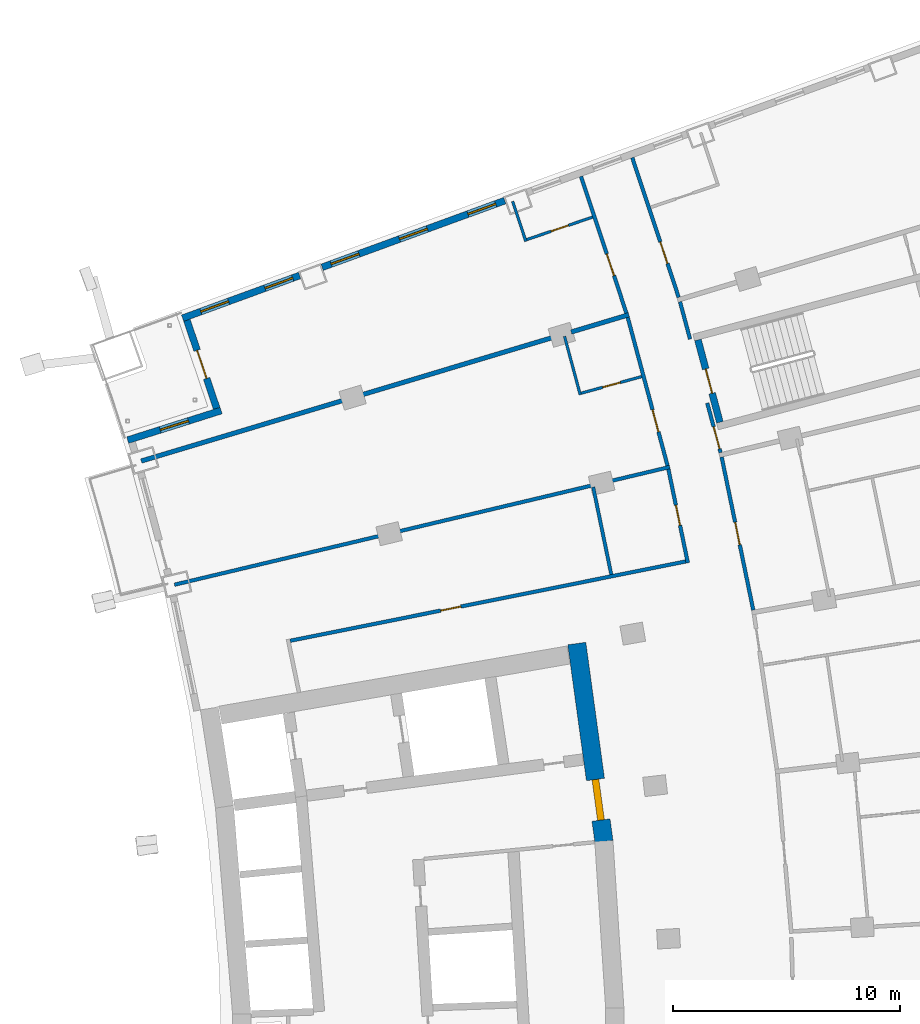
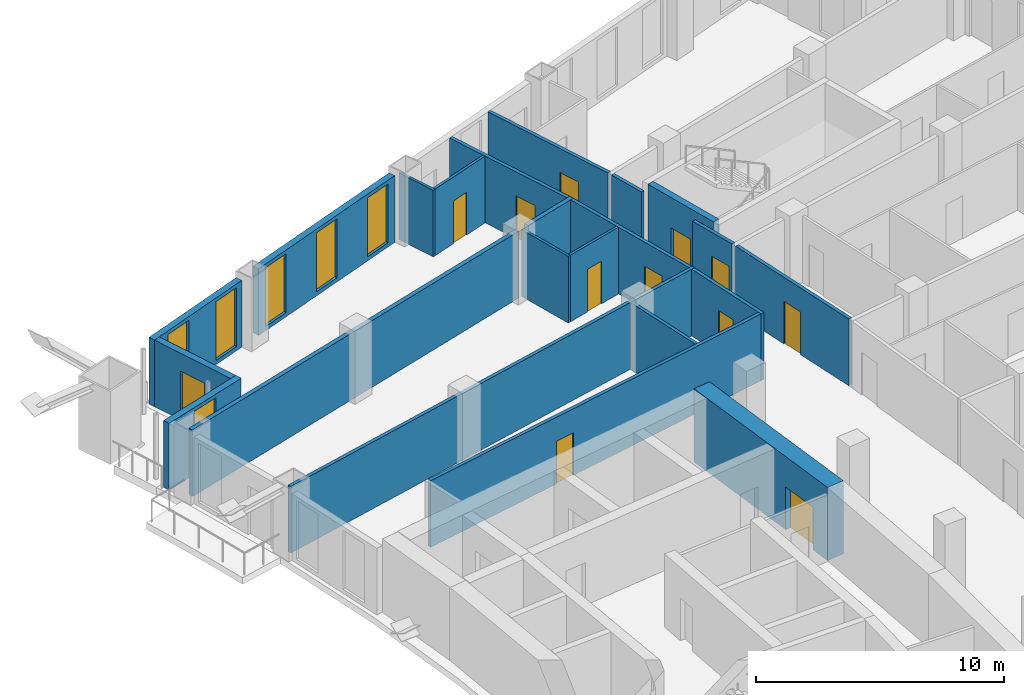
# One storey, part 16 of 23: 22 walls, 12 doors, 6 windows, 18 openings.
"""IFC4 building model written with IfcOpenShell, lengths in metres."""

from ifc_helpers import new_model, si_unit, direction, frame, frame_2d, origin, place, context, subcontext, project, spatial, rectangle, extrude, material, layer, layer_set, type_object, element, fill, save


model = new_model("IFC4")

# Units and contexts
model_context = context("Model", 3, precision=1e-05, world=origin(), true_north=direction((0.0, 1.0)))
body_context = subcontext(model_context, "Body", "Model", "MODEL_VIEW")
ifc_project = project(units=[si_unit("LENGTHUNIT", "METRE"), si_unit("AREAUNIT", "SQUARE_METRE"), si_unit("VOLUMEUNIT", "CUBIC_METRE"), si_unit("PLANEANGLEUNIT", "RADIAN"), si_unit("MASSUNIT", "GRAM", prefix="KILO")], contexts=[model_context])

# Site, building, storey
site_placement = place(None, origin())
site = spatial("IfcSite", under=ifc_project, at=site_placement, CompositionType="ELEMENT")
building_placement = place(site_placement, origin())
building = spatial("IfcBuilding", under=site, at=building_placement, Name="Alderwake Tower", CompositionType="ELEMENT")
storey_placement = place(building_placement, frame((0.0, 0.0, 100.39990234375)))
storey = spatial("IfcBuildingStorey", under=building, at=storey_placement, Name="L24", CompositionType="ELEMENT", Elevation=100.39990234375)

# Wall, opening, door
ifc_material_1 = material(Name="Concrete C70/85", Category="concrete")
ifc_layer_1 = layer(ifc_material_1, 0.800048828125)
ifc_layer_set_1 = layer_set([ifc_layer_1], Name="Core wall outer 800 C70-85")
wall_type_1 = type_object("IfcWallType", Name="Core wall outer 800 C70-85", PredefinedType="SHEAR", material=ifc_layer_set_1)
wall_1_placement = place(storey_placement, frame((31.569580078125, 80.7265625, 0.0), z_axis=(0.0, 0.0, 1.0), x_axis=(0.135838347444, -0.990731014637, 0.0)))
wall_1 = element("IfcWall", 1, at=wall_1_placement, inside=storey, type_object=wall_type_1, Name="Core wall CW.009", PredefinedType="SHEAR", context=body_context, shape_type="SweptSolid", body=[
    extrude(rectangle(XDim=8.788818359375, YDim=0.800048828125, at=frame_2d((4.39453125, 0.0))), origin(), (0.0, 0.0, 1.0), 3.60009765625),
])
opening_1_placement = place(wall_1_placement, frame((6.032958984375, 0.0, 0.0)))
opening_1 = element("IfcOpeningElement", 2, at=opening_1_placement, cuts=wall_1, Name="Opening C001", PredefinedType="OPENING", context=body_context, shape_type="SweptSolid", body=[
    extrude(rectangle(XDim=1.800048828125, YDim=2.10009765625, at=frame_2d((0.89990234375, 1.050048828125))), frame((0.0, 0.409912109375, 0.0), z_axis=(0.0, -1.0, 0.0), x_axis=(1.0, 0.0, 0.0)), (0.0, 0.0, 1.0), 0.820068359375),
])
ifc_material_2 = material(Name="Steel-framed fire door leaves", Category="steel")
door_type_1 = type_object("IfcDoorType", Name="Core double door 1800 fire-rated", OperationType="DOUBLE_DOOR_SINGLE_SWING", PredefinedType="DOOR", material=ifc_material_2)
door_1_placement = place(opening_1_placement, origin())
door_1 = element("IfcDoor", 3, at=door_1_placement, inside=storey, type_object=door_type_1, Name="Lobby double door", OperationType="DOUBLE_DOOR_SINGLE_SWING", OverallHeight=2.10009765625, OverallWidth=1.800048828125, PredefinedType="DOOR", context=body_context, shape_type="SweptSolid", body=[
    extrude(rectangle(XDim=1.800048828125, YDim=2.10009765625, at=frame_2d((0.89990234375, 1.050048828125))), frame((0.0, 0.14990234375, 0.0), z_axis=(0.0, -1.0, 0.0), x_axis=(1.0, 0.0, 0.0)), (0.0, 0.0, 1.0), 0.300048828125),
])
fill(opening_1, door_1)

ifc_material_3 = material(Name="Concrete C70/85", Category="concrete")
ifc_layer_2 = layer(ifc_material_3, 0.300048828125)
ifc_layer_set_2 = layer_set([ifc_layer_2], Name="Core wall stair enclosure 300 C70-85")
wall_type_2 = type_object("IfcWallType", Name="Core wall stair enclosure 300 C70-85", PredefinedType="SHEAR", material=ifc_layer_set_2)
wall_2_placement = place(storey_placement, frame((37.8603515625, 90.452392578125, 0.0), z_axis=(0.0, 0.0, 1.0), x_axis=(-0.257411420208, 0.966301899381, 0.0)))
wall_2 = element("IfcWall", 4, at=wall_2_placement, inside=storey, type_object=wall_type_2, Name="Core wall CW.083", PredefinedType="SHEAR", context=body_context, shape_type="SweptSolid", body=[
    extrude(rectangle(XDim=3.750244140625, YDim=0.300048828125, at=frame_2d((1.875, 0.0))), origin(), (0.0, 0.0, 1.0), 3.60009765625),
])
opening_2_placement = place(wall_2_placement, frame((1.324951171875, 0.0, 0.0)))
opening_2 = element("IfcOpeningElement", 5, at=opening_2_placement, cuts=wall_2, Name="Opening C062", PredefinedType="OPENING", context=body_context, shape_type="SweptSolid", body=[
    extrude(rectangle(XDim=1.10009765625, YDim=2.10009765625, at=frame_2d((0.550048828125, 1.050048828125))), frame((0.0, 0.159912109375, 0.0), z_axis=(0.0, -1.0, 0.0), x_axis=(1.0, 0.0, 0.0)), (0.0, 0.0, 1.0), 0.320068359375),
])
ifc_material_4 = material(Name="Steel-framed fire door leaf", Category="steel")
door_type_2 = type_object("IfcDoorType", Name="Core stair door 1100 fire-rated", OperationType="SINGLE_SWING_LEFT", PredefinedType="DOOR", material=ifc_material_4)
door_2_placement = place(opening_2_placement, origin())
door_2 = element("IfcDoor", 6, at=door_2_placement, inside=storey, type_object=door_type_2, Name="Stair door", OperationType="SINGLE_SWING_RIGHT", OverallHeight=2.10009765625, OverallWidth=1.10009765625, PredefinedType="DOOR", context=body_context, shape_type="SweptSolid", body=[
    extrude(rectangle(XDim=1.10009765625, YDim=2.10009765625, at=frame_2d((0.550048828125, 1.050048828125))), frame((0.0, 0.02490234375, 0.0), z_axis=(0.0, -1.0, 0.0), x_axis=(1.0, 0.0, 0.0)), (0.0, 0.0, 1.0), 0.050048828125),
])
fill(opening_2, door_2)

# Wall
ifc_material_5 = material(Name="Gypsum board on metal studs, rated")
ifc_layer_3 = layer(ifc_material_5, 0.159912109375)
ifc_layer_set_3 = layer_set([ifc_layer_3], Name="Corridor wall 160")
wall_type_3 = type_object("IfcWallType", Name="Corridor wall 160", PredefinedType="PARTITIONING", material=ifc_layer_set_3)
wall_3_placement = place(storey_placement, frame((13.884033203125, 83.31298828125, 0.0), z_axis=(0.0, 0.0, 1.0), x_axis=(0.972893462073, 0.231253781493, 0.0)))
element("IfcWall", 7, at=wall_3_placement, inside=storey, type_object=wall_type_3, Name="WL/L24/W19", PredefinedType="PARTITIONING", context=body_context, shape_type="SweptSolid", body=[
    extrude(rectangle(XDim=22.38037109375, YDim=0.159912109375, at=frame_2d((11.190185546875, 0.0))), origin(), (0.0, 0.0, 1.0), 3.280029296875),
])

# Wall, opening, door
wall_4_placement = place(storey_placement, frame((33.75146484375, 95.2548828125, 0.0), z_axis=(0.0, 0.0, 1.0), x_axis=(-0.315406156735, 0.948956772616, 0.0)))
wall_4 = element("IfcWall", 8, at=wall_4_placement, inside=storey, type_object=wall_type_3, Name="WL/L24/W23", PredefinedType="PARTITIONING", context=body_context, shape_type="SweptSolid", body=[
    extrude(rectangle(XDim=6.330078125, YDim=0.159912109375, at=frame_2d((3.1650390625, 0.0))), origin(), (0.0, 0.0, 1.0), 3.280029296875),
])
opening_3_placement = place(wall_4_placement, frame((1.737060546875, 0.0, 0.0)))
opening_3 = element("IfcOpeningElement", 9, at=opening_3_placement, cuts=wall_4, Name="Opening R06-U15.1", PredefinedType="OPENING", context=body_context, shape_type="SweptSolid", body=[
    extrude(rectangle(XDim=1.0, YDim=2.10009765625, at=frame_2d((0.5, 1.050048828125))), frame((0.0, 0.08984375, 0.0), z_axis=(0.0, -1.0, 0.0), x_axis=(1.0, 0.0, 0.0)), (0.0, 0.0, 1.0), 0.179931640625),
])
ifc_material_6 = material(Name="Solid timber leaf in steel frame", Category="steel")
door_type_3 = type_object("IfcDoorType", Name="Flat entrance door 1000 fire-rated", OperationType="SINGLE_SWING_LEFT", PredefinedType="DOOR", material=ifc_material_6)
door_3_placement = place(opening_3_placement, origin())
door_3 = element("IfcDoor", 10, at=door_3_placement, inside=storey, type_object=door_type_3, Name="DR/L24/U15.1", OperationType="SINGLE_SWING_LEFT", OverallHeight=2.10009765625, OverallWidth=1.0, PredefinedType="DOOR", context=body_context, shape_type="SweptSolid", body=[
    extrude(rectangle(XDim=1.0, YDim=2.10009765625, at=frame_2d((0.5, 1.050048828125))), frame((0.0, 0.02490234375, 0.0), z_axis=(0.0, -1.0, 0.0), x_axis=(1.0, 0.0, 0.0)), (0.0, 0.0, 1.0), 0.050048828125),
])
fill(opening_3, door_3)

wall_5_placement = place(storey_placement, frame((35.55908203125, 88.54736328125, 0.0), z_axis=(0.0, 0.0, 1.0), x_axis=(-0.259373900693, 0.965776982351, 0.0)))
wall_5 = element("IfcWall", 11, at=wall_5_placement, inside=storey, type_object=wall_type_3, Name="WL/L24/W26", PredefinedType="PARTITIONING", context=body_context, shape_type="SweptSolid", body=[
    extrude(rectangle(XDim=6.7470703125, YDim=0.159912109375, at=frame_2d((3.37353515625, 0.0))), origin(), (0.0, 0.0, 1.0), 3.280029296875),
])
opening_4_placement = place(wall_5_placement, frame((1.5380859375, 0.0, 0.0)))
opening_4 = element("IfcOpeningElement", 12, at=opening_4_placement, cuts=wall_5, Name="Opening R06-U14.1", PredefinedType="OPENING", context=body_context, shape_type="SweptSolid", body=[
    extrude(rectangle(XDim=1.0, YDim=2.10009765625, at=frame_2d((0.5, 1.050048828125))), frame((0.0, 0.08984375, 0.0), z_axis=(0.0, -1.0, 0.0), x_axis=(1.0, 0.0, 0.0)), (0.0, 0.0, 1.0), 0.179931640625),
])
door_4_placement = place(opening_4_placement, origin())
door_4 = element("IfcDoor", 13, at=door_4_placement, inside=storey, type_object=door_type_3, Name="DR/L24/U14.1", OperationType="SINGLE_SWING_LEFT", OverallHeight=2.10009765625, OverallWidth=1.0, PredefinedType="DOOR", context=body_context, shape_type="SweptSolid", body=[
    extrude(rectangle(XDim=1.0, YDim=2.10009765625, at=frame_2d((0.5, 1.050048828125))), frame((0.0, 0.02490234375, 0.0), z_axis=(0.0, -1.0, 0.0), x_axis=(1.0, 0.0, 0.0)), (0.0, 0.0, 1.0), 0.050048828125),
])
fill(opening_4, door_4)

wall_6_placement = place(storey_placement, frame((36.451416015625, 84.272705078125, 0.0), z_axis=(0.0, 0.0, 1.0), x_axis=(-0.20329833965, 0.979116839348, 0.0)))
wall_6 = element("IfcWall", 14, at=wall_6_placement, inside=storey, type_object=wall_type_3, Name="WL/L24/W28", PredefinedType="PARTITIONING", context=body_context, shape_type="SweptSolid", body=[
    extrude(rectangle(XDim=4.206787109375, YDim=0.159912109375, at=frame_2d((2.103515625, 0.0))), origin(), (0.0, 0.0, 1.0), 3.280029296875),
])
opening_5_placement = place(wall_6_placement, frame((1.69287109375, 0.0, 0.0)))
opening_5 = element("IfcOpeningElement", 15, at=opening_5_placement, cuts=wall_6, Name="Opening R06-SBN2", PredefinedType="OPENING", context=body_context, shape_type="SweptSolid", body=[
    extrude(rectangle(XDim=0.89990234375, YDim=2.10009765625, at=frame_2d((0.449951171875, 1.050048828125))), frame((0.0, 0.08984375, 0.0), z_axis=(0.0, -1.0, 0.0), x_axis=(1.0, 0.0, 0.0)), (0.0, 0.0, 1.0), 0.179931640625),
])
ifc_material_7 = material(Name="Painted timber leaf", Category="wood")
door_type_4 = type_object("IfcDoorType", Name="Room door 900", OperationType="SINGLE_SWING_LEFT", PredefinedType="DOOR", material=ifc_material_7)
door_5_placement = place(opening_5_placement, origin())
door_5 = element("IfcDoor", 16, at=door_5_placement, inside=storey, type_object=door_type_4, Name="DR/L24/SBN2", OperationType="SINGLE_SWING_LEFT", OverallHeight=2.10009765625, OverallWidth=0.89990234375, PredefinedType="DOOR", context=body_context, shape_type="SweptSolid", body=[
    extrude(rectangle(XDim=0.89990234375, YDim=2.10009765625, at=frame_2d((0.449951171875, 1.050048828125))), frame((0.0, 0.02490234375, 0.0), z_axis=(0.0, -1.0, 0.0), x_axis=(1.0, 0.0, 0.0)), (0.0, 0.0, 1.0), 0.050048828125),
])
fill(opening_5, door_5)

wall_7_placement = place(storey_placement, frame((34.010986328125, 102.083984375, 0.0), z_axis=(0.0, 0.0, 1.0), x_axis=(0.315140606423, -0.949044992708, 0.0)))
wall_7 = element("IfcWall", 17, at=wall_7_placement, inside=storey, type_object=wall_type_3, Name="WL/L24/W30", PredefinedType="PARTITIONING", context=body_context, shape_type="SweptSolid", body=[
    extrude(rectangle(XDim=6.46875, YDim=0.159912109375, at=frame_2d((3.234375, 0.0))), origin(), (0.0, 0.0, 1.0), 3.280029296875),
])
opening_6_placement = place(wall_7_placement, frame((3.897705078125, 0.0, 0.0)))
opening_6 = element("IfcOpeningElement", 18, at=opening_6_placement, cuts=wall_7, Name="Opening R06-U04.1", PredefinedType="OPENING", context=body_context, shape_type="SweptSolid", body=[
    extrude(rectangle(XDim=1.0, YDim=2.10009765625, at=frame_2d((0.5, 1.050048828125))), frame((0.0, 0.08984375, 0.0), z_axis=(0.0, -1.0, 0.0), x_axis=(1.0, 0.0, 0.0)), (0.0, 0.0, 1.0), 0.179931640625),
])
door_6_placement = place(opening_6_placement, origin())
door_6 = element("IfcDoor", 19, at=door_6_placement, inside=storey, type_object=door_type_3, Name="DR/L24/U04.1", OperationType="SINGLE_SWING_LEFT", OverallHeight=2.10009765625, OverallWidth=1.0, PredefinedType="DOOR", context=body_context, shape_type="SweptSolid", body=[
    extrude(rectangle(XDim=1.0, YDim=2.10009765625, at=frame_2d((0.5, 1.050048828125))), frame((0.0, 0.02490234375, 0.0), z_axis=(0.0, -1.0, 0.0), x_axis=(1.0, 0.0, 0.0)), (0.0, 0.0, 1.0), 0.050048828125),
])
fill(opening_6, door_6)

wall_8_placement = place(storey_placement, frame((18.969482421875, 80.84765625, 0.0), z_axis=(0.0, 0.0, 1.0), x_axis=(0.980470914622, 0.196664144112, 0.0)))
wall_8 = element("IfcWall", 20, at=wall_8_placement, inside=storey, type_object=wall_type_3, Name="WL/L24/W32", PredefinedType="PARTITIONING", context=body_context, shape_type="SweptSolid", body=[
    extrude(rectangle(XDim=17.733642578125, YDim=0.159912109375, at=frame_2d((8.86669921875, 0.0))), origin(), (0.0, 0.0, 1.0), 3.280029296875),
])
opening_7_placement = place(wall_8_placement, frame((6.756591796875, 0.0, 0.0)))
opening_7 = element("IfcOpeningElement", 21, at=opening_7_placement, cuts=wall_8, Name="Opening R06-SBN1", PredefinedType="OPENING", context=body_context, shape_type="SweptSolid", body=[
    extrude(rectangle(XDim=0.89990234375, YDim=2.10009765625, at=frame_2d((0.449951171875, 1.050048828125))), frame((0.0, 0.08984375, 0.0), z_axis=(0.0, -1.0, 0.0), x_axis=(1.0, 0.0, 0.0)), (0.0, 0.0, 1.0), 0.179931640625),
])
door_7_placement = place(opening_7_placement, origin())
door_7 = element("IfcDoor", 22, at=door_7_placement, inside=storey, type_object=door_type_4, Name="DR/L24/SBN1", OperationType="SINGLE_SWING_LEFT", OverallHeight=2.10009765625, OverallWidth=0.89990234375, PredefinedType="DOOR", context=body_context, shape_type="SweptSolid", body=[
    extrude(rectangle(XDim=0.89990234375, YDim=2.10009765625, at=frame_2d((0.449951171875, 1.050048828125))), frame((0.0, 0.02490234375, 0.0), z_axis=(0.0, -1.0, 0.0), x_axis=(1.0, 0.0, 0.0)), (0.0, 0.0, 1.0), 0.050048828125),
])
fill(opening_7, door_7)

# Wall
wall_9_placement = place(storey_placement, frame((36.549072265625, 94.110107421875, 0.0), z_axis=(0.0, 0.0, 1.0), x_axis=(-0.259813977097, 0.965658685719, 0.0)))
element("IfcWall", 23, at=wall_9_placement, inside=storey, type_object=wall_type_3, Name="WL/L24/W33", PredefinedType="PARTITIONING", context=body_context, shape_type="SweptSolid", body=[
    extrude(rectangle(XDim=1.70166015625, YDim=0.159912109375, at=frame_2d((0.850830078125, 0.0))), origin(), (0.0, 0.0, 1.0), 3.280029296875),
])

# Wall, opening, door
wall_10_placement = place(storey_placement, frame((37.304931640625, 91.299072265625, 0.0), z_axis=(0.0, 0.0, 1.0), x_axis=(0.259946294884, -0.965623075416, 0.0)))
wall_10 = element("IfcWall", 24, at=wall_10_placement, inside=storey, type_object=wall_type_3, Name="WL/L24/W36", PredefinedType="PARTITIONING", context=body_context, shape_type="SweptSolid", body=[
    extrude(rectangle(XDim=2.255126953125, YDim=0.159912109375, at=frame_2d((1.12744140625, 0.0))), origin(), (0.0, 0.0, 1.0), 3.280029296875),
])
opening_8_placement = place(wall_10_placement, frame((1.083984375, 0.0, 0.0)))
opening_8 = element("IfcOpeningElement", 25, at=opening_8_placement, cuts=wall_10, Name="Opening R06-U02.1", PredefinedType="OPENING", context=body_context, shape_type="SweptSolid", body=[
    extrude(rectangle(XDim=1.0, YDim=2.10009765625, at=frame_2d((0.5, 1.050048828125))), frame((0.0, 0.08984375, 0.0), z_axis=(0.0, -1.0, 0.0), x_axis=(1.0, 0.0, 0.0)), (0.0, 0.0, 1.0), 0.179931640625),
])
door_8_placement = place(opening_8_placement, origin())
door_8 = element("IfcDoor", 26, at=door_8_placement, inside=storey, type_object=door_type_3, Name="DR/L24/U02.1", OperationType="SINGLE_SWING_LEFT", OverallHeight=2.10009765625, OverallWidth=1.0, PredefinedType="DOOR", context=body_context, shape_type="SweptSolid", body=[
    extrude(rectangle(XDim=1.0, YDim=2.10009765625, at=frame_2d((0.5, 1.050048828125))), frame((0.0, 0.02490234375, 0.0), z_axis=(0.0, -1.0, 0.0), x_axis=(1.0, 0.0, 0.0)), (0.0, 0.0, 1.0), 0.050048828125),
])
fill(opening_8, door_8)

wall_11_placement = place(storey_placement, frame((37.937255859375, 88.927001953125, 0.0), z_axis=(0.0, 0.0, 1.0), x_axis=(0.20241288737, -0.979300272147, 0.0)))
wall_11 = element("IfcWall", 27, at=wall_11_placement, inside=storey, type_object=wall_type_3, Name="WL/L24/W38", PredefinedType="PARTITIONING", context=body_context, shape_type="SweptSolid", body=[
    extrude(rectangle(XDim=6.870361328125, YDim=0.159912109375, at=frame_2d((3.43505859375, 0.0))), origin(), (0.0, 0.0, 1.0), 3.280029296875),
])
opening_9_placement = place(wall_11_placement, frame((2.93505859375, 0.0, 0.0)))
opening_9 = element("IfcOpeningElement", 28, at=opening_9_placement, cuts=wall_11, Name="Opening R06-U11.2", PredefinedType="OPENING", context=body_context, shape_type="SweptSolid", body=[
    extrude(rectangle(XDim=1.0, YDim=2.10009765625, at=frame_2d((0.5, 1.050048828125))), frame((0.0, 0.08984375, 0.0), z_axis=(0.0, -1.0, 0.0), x_axis=(1.0, 0.0, 0.0)), (0.0, 0.0, 1.0), 0.179931640625),
])
door_9_placement = place(opening_9_placement, origin())
door_9 = element("IfcDoor", 29, at=door_9_placement, inside=storey, type_object=door_type_3, Name="DR/L24/U11.2", OperationType="SINGLE_SWING_LEFT", OverallHeight=2.10009765625, OverallWidth=1.0, PredefinedType="DOOR", context=body_context, shape_type="SweptSolid", body=[
    extrude(rectangle(XDim=1.0, YDim=2.10009765625, at=frame_2d((0.5, 1.050048828125))), frame((0.0, 0.02490234375, 0.0), z_axis=(0.0, -1.0, 0.0), x_axis=(1.0, 0.0, 0.0)), (0.0, 0.0, 1.0), 0.050048828125),
])
fill(opening_9, door_9)

# Wall, openings, windows
ifc_material_8 = material(Name="Bronze metal cladding on lightweight framing")
ifc_layer_4 = layer(ifc_material_8, 0.300048828125)
ifc_layer_set_4 = layer_set([ifc_layer_4], Name="External wall EW2 bronze metal cladding")
wall_type_4 = type_object("IfcWallType", Name="External wall EW2 bronze metal cladding", PredefinedType="SOLIDWALL", material=ifc_layer_set_4)
wall_12_placement = place(storey_placement, frame((28.402587890625, 100.197509765625, 0.0), z_axis=(0.0, 0.0, 1.0), x_axis=(-0.939364770023, -0.342919566137, 0.0)))
wall_12 = element("IfcWall", 30, at=wall_12_placement, inside=storey, type_object=wall_type_4, Name="External wall 28", PredefinedType="SOLIDWALL", context=body_context, shape_type="SweptSolid", body=[
    extrude(rectangle(XDim=8.54541015625, YDim=0.300048828125, at=frame_2d((4.272705078125, 0.0))), origin(), (0.0, 0.0, 1.0), 3.280029296875),
])
opening_10_placement = place(wall_12_placement, frame((0.4228515625, 0.0, 0.199951171875)))
opening_10 = element("IfcOpeningElement", 31, at=opening_10_placement, cuts=wall_12, Name="Opening W1", PredefinedType="OPENING", context=body_context, shape_type="SweptSolid", body=[
    extrude(rectangle(XDim=1.300048828125, YDim=2.89990234375, at=frame_2d((0.64990234375, 1.449951171875))), frame((0.0, 0.159912109375, 0.0), z_axis=(0.0, -1.0, 0.0), x_axis=(1.0, 0.0, 0.0)), (0.0, 0.0, 1.0), 0.320068359375),
])
opening_11_placement = place(wall_12_placement, frame((3.622802734375, 0.0, 0.199951171875)))
opening_11 = element("IfcOpeningElement", 32, at=opening_11_placement, cuts=wall_12, Name="Opening W1", PredefinedType="OPENING", context=body_context, shape_type="SweptSolid", body=[
    extrude(rectangle(XDim=1.300048828125, YDim=2.89990234375, at=frame_2d((0.64990234375, 1.449951171875))), frame((0.0, 0.159912109375, 0.0), z_axis=(0.0, -1.0, 0.0), x_axis=(1.0, 0.0, 0.0)), (0.0, 0.0, 1.0), 0.320068359375),
])
opening_12_placement = place(wall_12_placement, frame((6.822998046875, 0.0, 0.199951171875)))
opening_12 = element("IfcOpeningElement", 33, at=opening_12_placement, cuts=wall_12, Name="Opening W1", PredefinedType="OPENING", context=body_context, shape_type="SweptSolid", body=[
    extrude(rectangle(XDim=1.300048828125, YDim=2.89990234375, at=frame_2d((0.64990234375, 1.449951171875))), frame((0.0, 0.159912109375, 0.0), z_axis=(0.0, -1.0, 0.0), x_axis=(1.0, 0.0, 0.0)), (0.0, 0.0, 1.0), 0.320068359375),
])
ifc_material_9 = material(Name="Bronze tinted glass in aluminium frame", Category="aluminium")
window_type = type_object("IfcWindowType", Name="Window W1 tall fixed and vent", PartitioningType="DOUBLE_PANEL_VERTICAL", PredefinedType="WINDOW", material=ifc_material_9)
window_1_placement = place(opening_10_placement, origin())
window_1 = element("IfcWindow", 34, at=window_1_placement, inside=storey, type_object=window_type, Name="Window W1 tall fixed and vent", OverallHeight=2.89990234375, OverallWidth=1.300048828125, PartitioningType="DOUBLE_PANEL_VERTICAL", PredefinedType="WINDOW", context=body_context, shape_type="SweptSolid", body=[
    extrude(rectangle(XDim=1.300048828125, YDim=2.89990234375, at=frame_2d((0.64990234375, 1.449951171875))), frame((0.0, 0.030029296875, 0.0), z_axis=(0.0, -1.0, 0.0), x_axis=(1.0, 0.0, 0.0)), (0.0, 0.0, 1.0), 0.06005859375),
])
fill(opening_10, window_1)
window_2_placement = place(opening_11_placement, origin())
window_2 = element("IfcWindow", 35, at=window_2_placement, inside=storey, type_object=window_type, Name="Window W1 tall fixed and vent", OverallHeight=2.89990234375, OverallWidth=1.300048828125, PartitioningType="DOUBLE_PANEL_VERTICAL", PredefinedType="WINDOW", context=body_context, shape_type="SweptSolid", body=[
    extrude(rectangle(XDim=1.300048828125, YDim=2.89990234375, at=frame_2d((0.64990234375, 1.449951171875))), frame((0.0, 0.030029296875, 0.0), z_axis=(0.0, -1.0, 0.0), x_axis=(1.0, 0.0, 0.0)), (0.0, 0.0, 1.0), 0.06005859375),
])
fill(opening_11, window_2)
window_3_placement = place(opening_12_placement, origin())
window_3 = element("IfcWindow", 36, at=window_3_placement, inside=storey, type_object=window_type, Name="Window W1 tall fixed and vent", OverallHeight=2.89990234375, OverallWidth=1.300048828125, PartitioningType="DOUBLE_PANEL_VERTICAL", PredefinedType="WINDOW", context=body_context, shape_type="SweptSolid", body=[
    extrude(rectangle(XDim=1.300048828125, YDim=2.89990234375, at=frame_2d((0.64990234375, 1.449951171875))), frame((0.0, 0.030029296875, 0.0), z_axis=(0.0, -1.0, 0.0), x_axis=(1.0, 0.0, 0.0)), (0.0, 0.0, 1.0), 0.06005859375),
])
fill(opening_12, window_3)

wall_13_placement = place(storey_placement, frame((19.38427734375, 96.905517578125, 0.0), z_axis=(0.0, 0.0, 1.0), x_axis=(-0.939366897407, -0.342913738506, 0.0)))
wall_13 = element("IfcWall", 37, at=wall_13_placement, inside=storey, type_object=wall_type_4, Name="External wall 29", PredefinedType="SOLIDWALL", context=body_context, shape_type="SweptSolid", body=[
    extrude(rectangle(XDim=5.474365234375, YDim=0.300048828125, at=frame_2d((2.7373046875, 0.0))), origin(), (0.0, 0.0, 1.0), 3.280029296875),
])
opening_13_placement = place(wall_13_placement, frame((0.322998046875, 0.0, 0.199951171875)))
opening_13 = element("IfcOpeningElement", 38, at=opening_13_placement, cuts=wall_13, Name="Opening W1", PredefinedType="OPENING", context=body_context, shape_type="SweptSolid", body=[
    extrude(rectangle(XDim=1.300048828125, YDim=2.89990234375, at=frame_2d((0.64990234375, 1.449951171875))), frame((0.0, 0.159912109375, 0.0), z_axis=(0.0, -1.0, 0.0), x_axis=(1.0, 0.0, 0.0)), (0.0, 0.0, 1.0), 0.320068359375),
])
opening_14_placement = place(wall_13_placement, frame((3.32373046875, 0.0, 0.199951171875)))
opening_14 = element("IfcOpeningElement", 39, at=opening_14_placement, cuts=wall_13, Name="Opening W1", PredefinedType="OPENING", context=body_context, shape_type="SweptSolid", body=[
    extrude(rectangle(XDim=1.300048828125, YDim=2.89990234375, at=frame_2d((0.64990234375, 1.449951171875))), frame((0.0, 0.159912109375, 0.0), z_axis=(0.0, -1.0, 0.0), x_axis=(1.0, 0.0, 0.0)), (0.0, 0.0, 1.0), 0.320068359375),
])
window_4_placement = place(opening_13_placement, origin())
window_4 = element("IfcWindow", 40, at=window_4_placement, inside=storey, type_object=window_type, Name="Window W1 tall fixed and vent", OverallHeight=2.89990234375, OverallWidth=1.300048828125, PartitioningType="DOUBLE_PANEL_VERTICAL", PredefinedType="WINDOW", context=body_context, shape_type="SweptSolid", body=[
    extrude(rectangle(XDim=1.300048828125, YDim=2.89990234375, at=frame_2d((0.64990234375, 1.449951171875))), frame((0.0, 0.030029296875, 0.0), z_axis=(0.0, -1.0, 0.0), x_axis=(1.0, 0.0, 0.0)), (0.0, 0.0, 1.0), 0.06005859375),
])
fill(opening_13, window_4)
window_5_placement = place(opening_14_placement, origin())
window_5 = element("IfcWindow", 41, at=window_5_placement, inside=storey, type_object=window_type, Name="Window W1 tall fixed and vent", OverallHeight=2.89990234375, OverallWidth=1.300048828125, PartitioningType="DOUBLE_PANEL_VERTICAL", PredefinedType="WINDOW", context=body_context, shape_type="SweptSolid", body=[
    extrude(rectangle(XDim=1.300048828125, YDim=2.89990234375, at=frame_2d((0.64990234375, 1.449951171875))), frame((0.0, 0.030029296875, 0.0), z_axis=(0.0, -1.0, 0.0), x_axis=(1.0, 0.0, 0.0)), (0.0, 0.0, 1.0), 0.06005859375),
])
fill(opening_14, window_5)

# Wall, opening, door
wall_14_placement = place(storey_placement, frame((14.430908203125, 94.937744140625, 0.0), z_axis=(0.0, 0.0, 1.0), x_axis=(0.320379458656, -0.947289291859, 0.0)))
wall_14 = element("IfcWall", 42, at=wall_14_placement, inside=storey, type_object=wall_type_4, Name="External wall 30", PredefinedType="SOLIDWALL", context=body_context, shape_type="SweptSolid", body=[
    extrude(rectangle(XDim=4.08984375, YDim=0.300048828125, at=frame_2d((2.044921875, 0.0))), origin(), (0.0, 0.0, 1.0), 3.280029296875),
])
opening_15_placement = place(wall_14_placement, frame((1.39501953125, 0.0, 0.0)))
opening_15 = element("IfcOpeningElement", 43, at=opening_15_placement, cuts=wall_14, Name="Opening D13", PredefinedType="OPENING", context=body_context, shape_type="SweptSolid", body=[
    extrude(rectangle(XDim=1.300048828125, YDim=2.39990234375, at=frame_2d((0.64990234375, 1.199951171875))), frame((0.0, 0.159912109375, 0.0), z_axis=(0.0, -1.0, 0.0), x_axis=(1.0, 0.0, 0.0)), (0.0, 0.0, 1.0), 0.320068359375),
])
ifc_material_10 = material(Name="Bronze tinted glass in aluminium frame", Category="aluminium")
door_type_5 = type_object("IfcDoorType", Name="Balcony door BD sliding", OperationType="SLIDING_TO_LEFT", PredefinedType="DOOR", material=ifc_material_10)
door_10_placement = place(opening_15_placement, origin())
door_10 = element("IfcDoor", 44, at=door_10_placement, inside=storey, type_object=door_type_5, Name="Door D13", OperationType="SLIDING_TO_LEFT", OverallHeight=2.39990234375, OverallWidth=1.300048828125, PredefinedType="DOOR", context=body_context, shape_type="SweptSolid", body=[
    extrude(rectangle(XDim=1.300048828125, YDim=2.39990234375, at=frame_2d((0.64990234375, 1.199951171875))), frame((0.0, 0.02490234375, 0.0), z_axis=(0.0, -1.0, 0.0), x_axis=(1.0, 0.0, 0.0)), (0.0, 0.0, 1.0), 0.050048828125),
])
fill(opening_15, door_10)

# Wall, opening, window
wall_15_placement = place(storey_placement, frame((15.932373046875, 90.966552734375, 0.0), z_axis=(0.0, 0.0, 1.0), x_axis=(-0.953473772386, -0.301475978103, 0.0)))
wall_15 = element("IfcWall", 45, at=wall_15_placement, inside=storey, type_object=wall_type_4, Name="External wall 31", PredefinedType="SOLIDWALL", context=body_context, shape_type="SweptSolid", body=[
    extrude(rectangle(XDim=4.305908203125, YDim=0.300048828125, at=frame_2d((2.15283203125, 0.0))), origin(), (0.0, 0.0, 1.0), 3.280029296875),
])
opening_16_placement = place(wall_15_placement, frame((1.5029296875, 0.0, 0.199951171875)))
opening_16 = element("IfcOpeningElement", 46, at=opening_16_placement, cuts=wall_15, Name="Opening W1", PredefinedType="OPENING", context=body_context, shape_type="SweptSolid", body=[
    extrude(rectangle(XDim=1.300048828125, YDim=2.89990234375, at=frame_2d((0.64990234375, 1.449951171875))), frame((0.0, 0.159912109375, 0.0), z_axis=(0.0, -1.0, 0.0), x_axis=(1.0, 0.0, 0.0)), (0.0, 0.0, 1.0), 0.320068359375),
])
window_6_placement = place(opening_16_placement, origin())
window_6 = element("IfcWindow", 47, at=window_6_placement, inside=storey, type_object=window_type, Name="Window W1 tall fixed and vent", OverallHeight=2.89990234375, OverallWidth=1.300048828125, PartitioningType="DOUBLE_PANEL_VERTICAL", PredefinedType="WINDOW", context=body_context, shape_type="SweptSolid", body=[
    extrude(rectangle(XDim=1.300048828125, YDim=2.89990234375, at=frame_2d((0.64990234375, 1.449951171875))), frame((0.0, 0.030029296875, 0.0), z_axis=(0.0, -1.0, 0.0), x_axis=(1.0, 0.0, 0.0)), (0.0, 0.0, 1.0), 0.06005859375),
])
fill(opening_16, window_6)

# Walls
ifc_material_11 = material(Name="Dense block masonry wall", Category="masonry")
ifc_layer_5 = layer(ifc_material_11, 0.199951171875)
ifc_layer_set_5 = layer_set([ifc_layer_5], Name="Party wall 200")
wall_type_5 = type_object("IfcWallType", Name="Party wall 200", PredefinedType="SOLIDWALL", material=ifc_layer_set_5)
wall_16_placement = place(storey_placement, frame((30.812744140625, 94.270751953125, 0.0), z_axis=(0.0, 0.0, 1.0), x_axis=(-0.957756965565, -0.287578849904, 0.0)))
element("IfcWall", 48, at=wall_16_placement, inside=storey, type_object=wall_type_5, Name="WL/L24/W01", PredefinedType="SOLIDWALL", context=body_context, shape_type="SweptSolid", body=[
    extrude(rectangle(XDim=19.20068359375, YDim=0.199951171875, at=frame_2d((9.600341796875, 0.0))), origin(), (0.0, 0.0, 1.0), 3.280029296875),
])
wall_17_placement = place(storey_placement, frame((33.859619140625, 95.18310546875, 0.0), z_axis=(0.0, 0.0, 1.0), x_axis=(-0.957762803886, -0.287559405153, 0.0)))
element("IfcWall", 49, at=wall_17_placement, inside=storey, type_object=wall_type_5, Name="WL/L24/W04", PredefinedType="SOLIDWALL", context=body_context, shape_type="SweptSolid", body=[
    extrude(rectangle(XDim=2.647216796875, YDim=0.199951171875, at=frame_2d((1.32373046875, 0.0))), origin(), (0.0, 0.0, 1.0), 3.280029296875),
])
ifc_material_12 = material(Name="Gypsum shaft wall system, rated")
ifc_layer_6 = layer(ifc_material_12, 0.14990234375)
ifc_layer_set_6 = layer_set([ifc_layer_6], Name="Riser and shaft wall 150")
wall_type_6 = type_object("IfcWallType", Name="Riser and shaft wall 150", PredefinedType="PARTITIONING", material=ifc_layer_set_6)
wall_18_placement = place(storey_placement, frame((33.085693359375, 83.76025390625, 0.0), z_axis=(0.0, 0.0, 1.0), x_axis=(-0.2025562632, 0.97927062666, 0.0)))
element("IfcWall", 50, at=wall_18_placement, inside=storey, type_object=wall_type_6, Name="WL/L24/W15", PredefinedType="PARTITIONING", context=body_context, shape_type="SweptSolid", body=[
    extrude(rectangle(XDim=3.9267578125, YDim=0.14990234375, at=frame_2d((1.96337890625, 0.0))), origin(), (0.0, 0.0, 1.0), 3.280029296875),
])
ifc_material_13 = material(Name="Moisture resistant gypsum board on metal studs")
ifc_layer_7 = layer(ifc_material_13, 0.1201171875)
ifc_layer_set_7 = layer_set([ifc_layer_7], Name="Wet room partition 120")
wall_type_7 = type_object("IfcWallType", Name="Wet room partition 120", PredefinedType="PARTITIONING", material=ifc_layer_set_7)
wall_19_placement = place(storey_placement, frame((28.7490234375, 100.1640625, 0.0), z_axis=(0.0, 0.0, 1.0), x_axis=(0.314645530733, -0.949209244577, 0.0)))
element("IfcWall", 51, at=wall_19_placement, inside=storey, type_object=wall_type_7, Name="WL/L24/W46", PredefinedType="PARTITIONING", context=body_context, shape_type="SweptSolid", body=[
    extrude(rectangle(XDim=1.85205078125, YDim=0.1201171875, at=frame_2d((0.926025390625, 0.0))), origin(), (0.0, 0.0, 1.0), 3.280029296875),
])

# Wall, opening, door
wall_20_placement = place(storey_placement, frame((29.369873046875, 98.482421875, 0.0), z_axis=(0.0, 0.0, 1.0), x_axis=(0.945919367523, 0.324401834375, 0.0)))
wall_20 = element("IfcWall", 52, at=wall_20_placement, inside=storey, type_object=wall_type_7, Name="WL/L24/W47", PredefinedType="PARTITIONING", context=body_context, shape_type="SweptSolid", body=[
    extrude(rectangle(XDim=3.06005859375, YDim=0.1201171875, at=frame_2d((1.530029296875, 0.0))), origin(), (0.0, 0.0, 1.0), 3.280029296875),
])
opening_17_placement = place(wall_20_placement, frame((1.1298828125, 0.0, 0.0)))
opening_17 = element("IfcOpeningElement", 53, at=opening_17_placement, cuts=wall_20, Name="Opening R06-U15.2", PredefinedType="OPENING", context=body_context, shape_type="SweptSolid", body=[
    extrude(rectangle(XDim=0.800048828125, YDim=2.10009765625, at=frame_2d((0.39990234375, 1.050048828125))), frame((0.0, 0.070068359375, 0.0), z_axis=(0.0, -1.0, 0.0), x_axis=(1.0, 0.0, 0.0)), (0.0, 0.0, 1.0), 0.14013671875),
])
ifc_material_14 = material(Name="Painted timber leaf", Category="wood")
door_type_6 = type_object("IfcDoorType", Name="Bathroom door 800", OperationType="SINGLE_SWING_LEFT", PredefinedType="DOOR", material=ifc_material_14)
door_11_placement = place(opening_17_placement, origin())
door_11 = element("IfcDoor", 54, at=door_11_placement, inside=storey, type_object=door_type_6, Name="DR/L24/U15.2", OperationType="SINGLE_SWING_LEFT", OverallHeight=2.10009765625, OverallWidth=0.800048828125, PredefinedType="DOOR", context=body_context, shape_type="SweptSolid", body=[
    extrude(rectangle(XDim=0.800048828125, YDim=2.10009765625, at=frame_2d((0.39990234375, 1.050048828125))), frame((0.0, 0.02490234375, 0.0), z_axis=(0.0, -1.0, 0.0), x_axis=(1.0, 0.0, 0.0)), (0.0, 0.0, 1.0), 0.050048828125),
])
fill(opening_17, door_11)

# Wall
wall_21_placement = place(storey_placement, frame((31.031005859375, 94.2294921875, 0.0), z_axis=(0.0, 0.0, 1.0), x_axis=(0.259756447242, -0.965674162498, 0.0)))
element("IfcWall", 55, at=wall_21_placement, inside=storey, type_object=wall_type_7, Name="WL/L24/W49", PredefinedType="PARTITIONING", context=body_context, shape_type="SweptSolid", body=[
    extrude(rectangle(XDim=2.66259765625, YDim=0.1201171875, at=frame_2d((1.331298828125, 0.0))), origin(), (0.0, 0.0, 1.0), 3.280029296875),
])

# Wall, opening, door
wall_22_placement = place(storey_placement, frame((31.764892578125, 91.73193359375, 0.0), z_axis=(0.0, 0.0, 1.0), x_axis=(0.964278304966, 0.264891205163, 0.0)))
wall_22 = element("IfcWall", 56, at=wall_22_placement, inside=storey, type_object=wall_type_7, Name="WL/L24/W50", PredefinedType="PARTITIONING", context=body_context, shape_type="SweptSolid", body=[
    extrude(rectangle(XDim=2.759521484375, YDim=0.1201171875, at=frame_2d((1.3798828125, 0.0))), origin(), (0.0, 0.0, 1.0), 3.280029296875),
])
opening_18_placement = place(wall_22_placement, frame((0.979736328125, 0.0, 0.0)))
opening_18 = element("IfcOpeningElement", 57, at=opening_18_placement, cuts=wall_22, Name="Opening R06-U14.2", PredefinedType="OPENING", context=body_context, shape_type="SweptSolid", body=[
    extrude(rectangle(XDim=0.800048828125, YDim=2.10009765625, at=frame_2d((0.39990234375, 1.050048828125))), frame((0.0, 0.070068359375, 0.0), z_axis=(0.0, -1.0, 0.0), x_axis=(1.0, 0.0, 0.0)), (0.0, 0.0, 1.0), 0.14013671875),
])
door_12_placement = place(opening_18_placement, origin())
door_12 = element("IfcDoor", 58, at=door_12_placement, inside=storey, type_object=door_type_6, Name="DR/L24/U14.2", OperationType="SINGLE_SWING_LEFT", OverallHeight=2.10009765625, OverallWidth=0.800048828125, PredefinedType="DOOR", context=body_context, shape_type="SweptSolid", body=[
    extrude(rectangle(XDim=0.800048828125, YDim=2.10009765625, at=frame_2d((0.39990234375, 1.050048828125))), frame((0.0, 0.02490234375, 0.0), z_axis=(0.0, -1.0, 0.0), x_axis=(1.0, 0.0, 0.0)), (0.0, 0.0, 1.0), 0.050048828125),
])
fill(opening_18, door_12)

save(model, "model.ifc")
